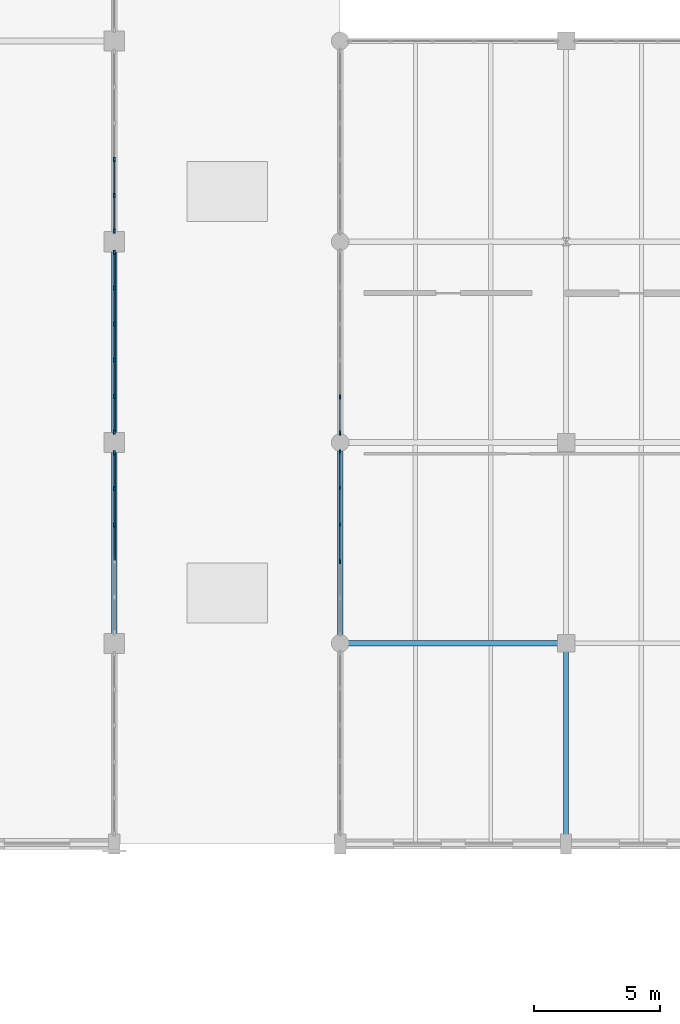
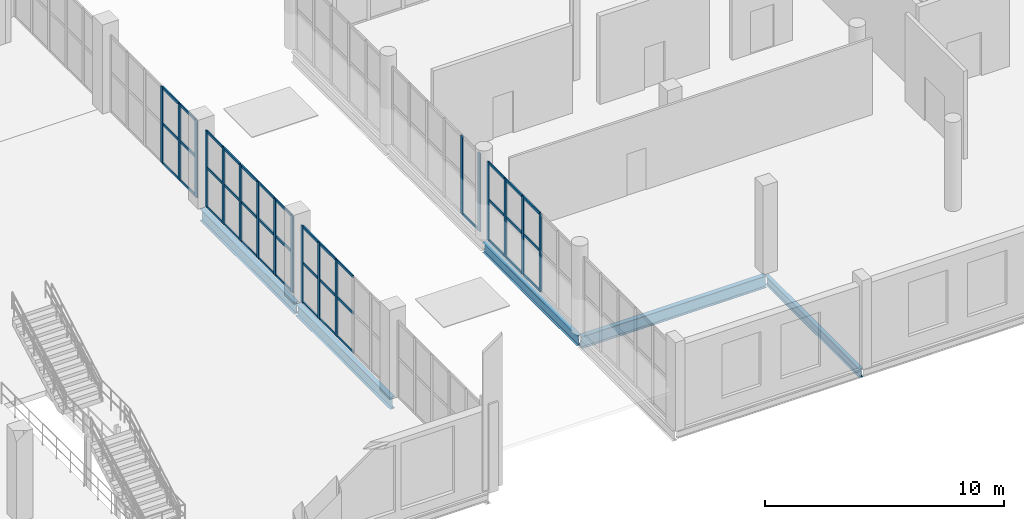
# One storey, part 32 of 93: 58 members, 5 beams, 5 elements without a shape of their own.
"""IFC4 building model written with IfcOpenShell, lengths in metres."""

import ifcopenshell
import ifcopenshell.guid

model = None  # the IFC model being written
_history = None  # IfcOwnerHistory: only IFC2X3 demands one
_inside = {}  # id of a spatial element -> (the spatial element, [elements in it])
_under = {}  # id of a project, library or spatial element -> (it, [spatial elements below it])
_declared = {}  # id of a project -> (the project, [libraries it declares])
_typed = {}  # id of a type object -> (the type object, [elements of that type])
_made_of = {}  # id of a material, layer set ... -> (it, [elements and type objects made of it])


def new_model(schema):
    """Start an empty IFC model of exactly this schema.

    Asked for "IFC4X3", IfcOpenShell would pick the latest addendum, in which some entities
    have other attributes; the version numbers below select the first issue.
    IFC2X3 requires an IfcOwnerHistory on every rooted entity: one is made here for all.
    """
    global model, _history
    if schema == "IFC4X3":
        model = ifcopenshell.file(schema_version=(4, 3, 0, 0))
    else:
        model = ifcopenshell.file(schema=schema)
    _inside.clear()
    _under.clear()
    _declared.clear()
    _typed.clear()
    _made_of.clear()
    _history = None
    if model.schema == "IFC2X3":
        org = make("IfcOrganization", Name="unknown")
        user = make(
            "IfcPersonAndOrganization",
            ThePerson=make("IfcPerson", FamilyName="unknown"),
            TheOrganization=org,
        )
        app = make(
            "IfcApplication",
            ApplicationDeveloper=org,
            Version="unknown",
            ApplicationFullName="unknown",
            ApplicationIdentifier="unknown",
        )
        _history = make(
            "IfcOwnerHistory",
            OwningUser=user,
            OwningApplication=app,
            ChangeAction="ADDED",
            CreationDate=0,
        )
    return model


def make(cls, **values):
    """One entity of the class cls with the attributes given. An attribute that is None is left unset."""
    return model.create_entity(
        cls, **{name: value for name, value in values.items() if value is not None}
    )


def rooted(cls, **values):
    """An entity with a GlobalId (a new one), such as an element, a storey or a relation."""
    return make(cls, GlobalId=ifcopenshell.guid.new(), OwnerHistory=_history, **values)


def si_unit(unit_type, name, prefix=None):
    """IfcSIUnit, for example si_unit("LENGTHUNIT", "METRE", prefix="MILLI")."""
    return make("IfcSIUnit", UnitType=unit_type, Prefix=prefix, Name=name)


def assignment(units):
    """IfcUnitAssignment: the units of a project."""
    return None if units is None else make("IfcUnitAssignment", Units=units)


def point(xyz):
    """IfcCartesianPoint."""
    return None if xyz is None else make("IfcCartesianPoint", Coordinates=xyz)


def direction(xyz):
    """IfcDirection."""
    return None if xyz is None else make("IfcDirection", DirectionRatios=xyz)


def frame(location, z_axis=None, x_axis=None):
    """IfcAxis2Placement3D, a coordinate frame: its origin and axes. An axis left out is left unset."""
    return make(
        "IfcAxis2Placement3D",
        Location=point(location),
        Axis=direction(z_axis),
        RefDirection=direction(x_axis),
    )


def frame_2d(location, x_axis=None):
    """IfcAxis2Placement2D, a coordinate frame in the plane: its origin and x axis."""
    return make(
        "IfcAxis2Placement2D", Location=point(location), RefDirection=direction(x_axis)
    )


def origin():
    """The frame at (0, 0, 0) with its axes left unset."""
    return frame((0.0, 0.0, 0.0))


def origin_2d():
    """The frame at (0, 0) in the plane with its x axis left unset."""
    return frame_2d((0.0, 0.0))


def place(relative_to, where):
    """IfcLocalPlacement: puts the frame where relative to a parent placement (None: the world)."""
    return make(
        "IfcLocalPlacement", PlacementRelTo=relative_to, RelativePlacement=where
    )


def context(
    kind, dimensions, precision=None, world=None, true_north=None, identifier=None
):
    """IfcGeometricRepresentationContext, for example the 3D "Model" context."""
    return make(
        "IfcGeometricRepresentationContext",
        ContextIdentifier=identifier,
        ContextType=kind,
        CoordinateSpaceDimension=dimensions,
        Precision=precision,
        WorldCoordinateSystem=world,
        TrueNorth=true_north,
    )


def subcontext(parent, identifier, kind, view, scale=None):
    """IfcGeometricRepresentationSubContext, for example "Body" below "Model"."""
    return make(
        "IfcGeometricRepresentationSubContext",
        ContextIdentifier=identifier,
        ContextType=kind,
        ParentContext=parent,
        TargetScale=scale,
        TargetView=view,
    )


def project(units=None, contexts=None):
    """IfcProject with its units and contexts."""
    return rooted(
        "IfcProject",
        Name="project",
        RepresentationContexts=contexts,
        UnitsInContext=assignment(units),
    )


def spatial(cls, under=None, at=None, **own):
    """A site, building, storey or space (cls), placed at a placement, below another one or the project."""
    s = rooted(cls, ObjectPlacement=at, **own)
    if under is not None:
        _under.setdefault(under.id(), (under, []))[1].append(s)
    return s


def profile(cls, at=None, kind="AREA", **sizes):
    """A parametric profile (cls). Its sizes go by their IFC names, for example OverallWidth=200.0."""
    return make(cls, ProfileType=kind, Position=at, **sizes)


def rectangle(**sizes):
    """IfcRectangleProfileDef."""
    return profile("IfcRectangleProfileDef", **sizes)


def i_section(**sizes):
    """IfcIShapeProfileDef."""
    return profile("IfcIShapeProfileDef", **sizes)


def extrude(swept, where, along, depth):
    """IfcExtrudedAreaSolid: the profile swept, set in the frame where, extruded along a direction by depth."""
    return make(
        "IfcExtrudedAreaSolid",
        SweptArea=swept,
        Position=where,
        ExtrudedDirection=direction(along),
        Depth=depth,
    )


def shape(context_of_items, identifier, shape_type, items):
    """IfcShapeRepresentation: the items that make up one representation, for example the "Body"."""
    return make(
        "IfcShapeRepresentation",
        ContextOfItems=context_of_items,
        RepresentationIdentifier=identifier,
        RepresentationType=shape_type,
        Items=items,
    )


def material(Name=None, Category=None):
    """IfcMaterial."""
    return make("IfcMaterial", Name=Name, Category=Category)


def layer(
    of_material, thickness, ventilated=None, Name=None, Category=None, Priority=None
):
    """IfcMaterialLayer: one layer of a wall or slab, of a material (None: an air gap)."""
    return make(
        "IfcMaterialLayer",
        Material=of_material,
        LayerThickness=thickness,
        IsVentilated=ventilated,
        Name=Name,
        Category=Category,
        Priority=Priority,
    )


def layer_set(layers, Name=None):
    """IfcMaterialLayerSet."""
    return make("IfcMaterialLayerSet", MaterialLayers=layers, LayerSetName=Name)


def material_profile(
    of_material, cross_section, Name=None, Category=None, Priority=None
):
    """IfcMaterialProfile: a cross section and its material."""
    return make(
        "IfcMaterialProfile",
        Name=Name,
        Material=of_material,
        Profile=cross_section,
        Priority=Priority,
        Category=Category,
    )


def profile_set(profiles, Name=None, composite=None):
    """IfcMaterialProfileSet."""
    return make(
        "IfcMaterialProfileSet",
        Name=Name,
        MaterialProfiles=profiles,
        CompositeProfile=composite,
    )


def made_of(thing, what):
    """Note that an element or type object is made of a material, layer set ...; save() writes the relation."""
    if what is not None:
        _made_of.setdefault(what.id(), (what, []))[1].append(thing)
    return thing


def type_object(cls, material=None, **own):
    """A type object (cls), such as IfcWallType, which elements share."""
    return made_of(rooted(cls, **own), material)


def element(
    cls,
    number,
    at=None,
    inside=None,
    cuts=None,
    type_object=None,
    material=None,
    context=None,
    identifier="Body",
    shape_type=None,
    held_by="IfcProductDefinitionShape",
    body=None,
    shapes=None,
    **own,
):
    """One element of the class cls, such as IfcWall. Its Tag is "e" and its number.

    at: its placement. inside: the storey or other place that contains it. cuts: it is an
    opening in that element (IfcRelVoidsElement). A single representation is given by context,
    identifier, shape_type and body (its items); several are given by shapes. held_by: the class
    of the entity that holds the representations. save() writes the other relations.
    """
    e = rooted(cls, Tag="e%d" % number, ObjectPlacement=at, **own)
    if body is not None:
        shapes = [shape(context, identifier, shape_type, body)]
    if shapes is not None:
        e.Representation = make(held_by, Representations=shapes)
    if inside is not None:
        _inside.setdefault(inside.id(), (inside, []))[1].append(e)
    if cuts is not None:
        rooted(
            "IfcRelVoidsElement", RelatingBuildingElement=cuts, RelatedOpeningElement=e
        )
    if type_object is not None:
        _typed.setdefault(type_object.id(), (type_object, []))[1].append(e)
    return made_of(e, material)


def aggregate(whole, parts):
    """IfcRelAggregates: a whole, such as a stair, and the parts it consists of."""
    return rooted("IfcRelAggregates", RelatingObject=whole, RelatedObjects=parts)


def save(model, path):
    """Write the relations noted so far, then the file.

    IfcRelAggregates (storeys below a building ...), IfcRelContainedInSpatialStructure (elements
    in a storey), IfcRelDefinesByType, IfcRelAssociatesMaterial and IfcRelDeclares: one each for
    every whole, place, type object, material and project.
    """
    for whole, parts in _under.values():
        aggregate(whole, parts)
    for where, things in _inside.values():
        rooted(
            "IfcRelContainedInSpatialStructure",
            RelatedElements=things,
            RelatingStructure=where,
        )
    for kind, things in _typed.values():
        rooted("IfcRelDefinesByType", RelatedObjects=things, RelatingType=kind)
    for what, things in _made_of.values():
        rooted("IfcRelAssociatesMaterial", RelatedObjects=things, RelatingMaterial=what)
    for by, libraries in _declared.values():
        rooted("IfcRelDeclares", RelatingContext=by, RelatedDefinitions=libraries)
    model.write(path)


model = new_model("IFC4")

# Units and contexts
model_context = context("Model", 3, precision=1e-05, world=origin(), true_north=direction((0.0, 1.0)))
body_context = subcontext(model_context, "Body", "Model", "MODEL_VIEW")
ifc_project = project(units=[si_unit("LENGTHUNIT", "METRE"), si_unit("AREAUNIT", "SQUARE_METRE"), si_unit("VOLUMEUNIT", "CUBIC_METRE"), si_unit("PLANEANGLEUNIT", "RADIAN"), si_unit("MASSUNIT", "GRAM", prefix="KILO")], contexts=[model_context])

# Site, building, storey
site_placement = place(None, origin())
site = spatial("IfcSite", under=ifc_project, at=site_placement, CompositionType="ELEMENT")
building_placement = place(site_placement, origin())
building = spatial("IfcBuilding", under=site, at=building_placement, Name="Marnock Terrace Opera House", CompositionType="ELEMENT")
storey_placement = place(building_placement, frame((0.0, 0.0, 5.39990234375)))
storey = spatial("IfcBuildingStorey", under=building, at=storey_placement, Name="L01", CompositionType="ELEMENT", Elevation=5.39990234375)

# Beams
ifc_material_1 = material(Name="Steel Grade 350 (AS/NZS 3679.1)", Category="steel")
ifc_material_profile_1 = material_profile(ifc_material_1, i_section(OverallWidth=0.18994140625, OverallDepth=0.45751953125, WebThickness=0.009033203125, FlangeThickness=0.014404296875, FilletRadius=0.011474609375, at=origin_2d()))
ifc_profile_set_1 = profile_set([ifc_material_profile_1], Name="Steel Grade 350 (AS/NZS 3679.1)")
beam_type_1 = type_object("IfcBeamType", Name="BM-GIRD-460B", PredefinedType="BEAM", material=ifc_profile_set_1)
beam_1_placement = place(storey_placement, frame((127.0, 8.050048828125, -0.508544921875), z_axis=(0.0, 1.0, 0.0), x_axis=(-1.0, 0.0, 0.0)))
element("IfcBeam", 1, at=beam_1_placement, inside=storey, type_object=beam_type_1, Name="L01 girder (X=127.0, 8.0..16.0)", PredefinedType="BEAM", context=body_context, shape_type="SweptSolid", body=[
    extrude(i_section(OverallWidth=0.18994140625, OverallDepth=0.45751953125, WebThickness=0.009033203125, FlangeThickness=0.014404296875, FilletRadius=0.011474609375, at=origin_2d()), origin(), (0.0, 0.0, 1.0), 7.89990234375),
])
ifc_material_profile_2 = material_profile(ifc_material_1, i_section(OverallWidth=0.208984375, OverallDepth=0.528076171875, WebThickness=0.009521484375, FlangeThickness=0.01318359375, FilletRadius=0.013916015625, at=origin_2d()))
ifc_profile_set_2 = profile_set([ifc_material_profile_2], Name="Steel Grade 350 (AS/NZS 3679.1)")
beam_type_2 = type_object("IfcBeamType", Name="BM-GIRD-530B", PredefinedType="BEAM", material=ifc_profile_set_2)
beam_2_placement = place(storey_placement, frame((118.0, 16.050048828125, -0.5439453125), z_axis=(0.0, 1.0, 0.0), x_axis=(-1.0, 0.0, 0.0)))
element("IfcBeam", 2, at=beam_2_placement, inside=storey, type_object=beam_type_2, Name="L01 girder (X=118.0, 16.0..24.0)", PredefinedType="BEAM", context=body_context, shape_type="SweptSolid", body=[
    extrude(i_section(OverallWidth=0.208984375, OverallDepth=0.528076171875, WebThickness=0.009521484375, FlangeThickness=0.01318359375, FilletRadius=0.013916015625, at=origin_2d()), origin(), (0.0, 0.0, 1.0), 7.89990234375),
])
ifc_material_profile_3 = material_profile(ifc_material_1, i_section(OverallWidth=0.22900390625, OverallDepth=0.611572265625, WebThickness=0.011962890625, FlangeThickness=0.01953125, FilletRadius=0.013916015625, at=origin_2d()))
ifc_profile_set_3 = profile_set([ifc_material_profile_3], Name="Steel Grade 350 (AS/NZS 3679.1)")
beam_type_3 = type_object("IfcBeamType", Name="BM-GIRD-610A", PredefinedType="BEAM", material=ifc_profile_set_3)
beam_3_placement = place(storey_placement, frame((118.050048828125, 16.0, -0.585693359375), z_axis=(1.0, 0.0, 0.0), x_axis=(0.0, 1.0, 0.0)))
element("IfcBeam", 3, at=beam_3_placement, inside=storey, type_object=beam_type_3, Name="L01 girder (118.0..127.0, Y=16.0)", PredefinedType="BEAM", context=body_context, shape_type="SweptSolid", body=[
    extrude(i_section(OverallWidth=0.22900390625, OverallDepth=0.611572265625, WebThickness=0.011962890625, FlangeThickness=0.01953125, FilletRadius=0.013916015625, at=origin_2d()), origin(), (0.0, 0.0, 1.0), 8.89990234375),
])
ifc_material_profile_4 = material_profile(ifc_material_1, i_section(OverallWidth=0.22802734375, OverallDepth=0.60205078125, WebThickness=0.010498046875, FlangeThickness=0.014892578125, FilletRadius=0.013916015625, at=origin_2d()))
ifc_profile_set_4 = profile_set([ifc_material_profile_4], Name="Steel Grade 350 (AS/NZS 3679.1)")
beam_type_4 = type_object("IfcBeamType", Name="BM-GIRD-610C", PredefinedType="BEAM", material=ifc_profile_set_4)
for number, where, z_axis, x_axis, name in (
    (4, (109.0, 16.050048828125, -0.580810546875), (0.0, 1.0, 0.0), (-1.0, 0.0, 0.0), "L01 girder (X=109.0, 16.0..24.0)"),
    (5, (109.0, 24.050048828125, -0.580810546875), (0.0, 1.0, 0.0), (-1.0, 0.0, 0.0), "L01 girder (X=109.0, 24.0..32.0)"),
):
    element("IfcBeam", number, at=place(storey_placement, frame(where, z_axis=z_axis, x_axis=x_axis)), inside=storey, type_object=beam_type_4, Name=name, PredefinedType="BEAM", context=body_context, shape_type="SweptSolid", body=[
        extrude(i_section(OverallWidth=0.22802734375, OverallDepth=0.60205078125, WebThickness=0.010498046875, FlangeThickness=0.014892578125, FilletRadius=0.013916015625, at=origin_2d()), origin(), (0.0, 0.0, 1.0), 7.89990234375),
    ])

# Curtain wall, members
ifc_material_2 = material(Name="Anodised architectural bronze aluminium framing", Category="aluminium")
ifc_layer_1 = layer(ifc_material_2, 0.159912109375)
ifc_layer_set_1 = layer_set([ifc_layer_1], Name="Anodised architectural bronze aluminium framing")
curtain_wall_type_1 = type_object("IfcCurtainWallType", Name="CW-FOYER-80x45", PredefinedType="NOTDEFINED", material=ifc_layer_set_1)
curtain_wall_1_placement = place(storey_placement, origin())
curtain_wall_1 = element("IfcCurtainWall", 6, at=curtain_wall_1_placement, inside=storey, type_object=curtain_wall_type_1, Name="L01 glazed Beaux-Arts colonnade curtain wall CW-V1E-L01-02", PredefinedType="NOTDEFINED")
ifc_material_profile_5 = material_profile(ifc_material_2, rectangle(XDim=0.06494140625, YDim=0.179931640625, at=origin_2d()))
ifc_profile_set_5 = profile_set([ifc_material_profile_5], Name="Anodised architectural bronze aluminium framing")
member_type_1 = type_object("IfcMemberType", Name="CWM-65x180", PredefinedType="MULLION", material=ifc_profile_set_5)
member_1_placement = place(storey_placement, frame((109.0, 20.720703125, 0.0), z_axis=(0.0, 0.0, 1.0), x_axis=(-1.0, 0.0, 0.0)))
member_1 = element("IfcMember", 7, at=member_1_placement, type_object=member_type_1, Name="CW-87 mullion 4", PredefinedType="MULLION", context=body_context, shape_type="SweptSolid", body=[
    extrude(rectangle(XDim=0.06494140625, YDim=0.179931640625, at=origin_2d()), origin(), (0.0, 0.0, 1.0), 3.908203125),
])
member_2_placement = place(storey_placement, frame((109.0, 22.162353515625, 0.0), z_axis=(0.0, 0.0, 1.0), x_axis=(-1.0, 0.0, 0.0)))
member_2 = element("IfcMember", 8, at=member_2_placement, type_object=member_type_1, Name="CW-87 mullion 5", PredefinedType="MULLION", context=body_context, shape_type="SweptSolid", body=[
    extrude(rectangle(XDim=0.06494140625, YDim=0.179931640625, at=origin_2d()), origin(), (0.0, 0.0, 1.0), 3.908203125),
])
member_3_placement = place(storey_placement, frame((109.0, 23.573974609375, 0.0), z_axis=(0.0, 0.0, 1.0), x_axis=(-1.0, 0.0, 0.0)))
member_3 = element("IfcMember", 9, at=member_3_placement, type_object=member_type_1, Name="CW-87 mullion 6", PredefinedType="MULLION", context=body_context, shape_type="SweptSolid", body=[
    extrude(rectangle(XDim=0.06494140625, YDim=0.179931640625, at=origin_2d()), origin(), (0.0, 0.0, 1.0), 3.908203125),
])

curtain_wall_2_placement = place(storey_placement, origin())
curtain_wall_2 = element("IfcCurtainWall", 10, at=curtain_wall_2_placement, inside=storey, type_object=curtain_wall_type_1, Name="L01 glazed Beaux-Arts colonnade curtain wall CW-V1E-L01-03", PredefinedType="NOTDEFINED")
member_4_placement = place(storey_placement, frame((109.0, 24.426025390625, 0.0), z_axis=(0.0, 0.0, 1.0), x_axis=(-1.0, 0.0, 0.0)))
member_4 = element("IfcMember", 11, at=member_4_placement, type_object=member_type_1, Name="CW-87 mullion 1", PredefinedType="MULLION", context=body_context, shape_type="SweptSolid", body=[
    extrude(rectangle(XDim=0.06494140625, YDim=0.179931640625, at=origin_2d()), origin(), (0.0, 0.0, 1.0), 3.908203125),
])
member_5_placement = place(storey_placement, frame((109.0, 25.837646484375, 0.0), z_axis=(0.0, 0.0, 1.0), x_axis=(-1.0, 0.0, 0.0)))
member_5 = element("IfcMember", 12, at=member_5_placement, type_object=member_type_1, Name="CW-87 mullion 2", PredefinedType="MULLION", context=body_context, shape_type="SweptSolid", body=[
    extrude(rectangle(XDim=0.06494140625, YDim=0.179931640625, at=origin_2d()), origin(), (0.0, 0.0, 1.0), 3.908203125),
])
member_6_placement = place(storey_placement, frame((109.0, 27.279296875, 0.0), z_axis=(0.0, 0.0, 1.0), x_axis=(-1.0, 0.0, 0.0)))
member_6 = element("IfcMember", 13, at=member_6_placement, type_object=member_type_1, Name="CW-87 mullion 3", PredefinedType="MULLION", context=body_context, shape_type="SweptSolid", body=[
    extrude(rectangle(XDim=0.06494140625, YDim=0.179931640625, at=origin_2d()), origin(), (0.0, 0.0, 1.0), 3.908203125),
])
member_7_placement = place(storey_placement, frame((109.0, 28.720703125, 0.0), z_axis=(0.0, 0.0, 1.0), x_axis=(-1.0, 0.0, 0.0)))
member_7 = element("IfcMember", 14, at=member_7_placement, type_object=member_type_1, Name="CW-87 mullion 4", PredefinedType="MULLION", context=body_context, shape_type="SweptSolid", body=[
    extrude(rectangle(XDim=0.06494140625, YDim=0.179931640625, at=origin_2d()), origin(), (0.0, 0.0, 1.0), 3.908203125),
])
member_8_placement = place(storey_placement, frame((109.0, 30.162353515625, 0.0), z_axis=(0.0, 0.0, 1.0), x_axis=(-1.0, 0.0, 0.0)))
member_8 = element("IfcMember", 15, at=member_8_placement, type_object=member_type_1, Name="CW-87 mullion 5", PredefinedType="MULLION", context=body_context, shape_type="SweptSolid", body=[
    extrude(rectangle(XDim=0.06494140625, YDim=0.179931640625, at=origin_2d()), origin(), (0.0, 0.0, 1.0), 3.908203125),
])
member_9_placement = place(storey_placement, frame((109.0, 31.573974609375, 0.0), z_axis=(0.0, 0.0, 1.0), x_axis=(-1.0, 0.0, 0.0)))
member_9 = element("IfcMember", 16, at=member_9_placement, type_object=member_type_1, Name="CW-87 mullion 6", PredefinedType="MULLION", context=body_context, shape_type="SweptSolid", body=[
    extrude(rectangle(XDim=0.06494140625, YDim=0.179931640625, at=origin_2d()), origin(), (0.0, 0.0, 1.0), 3.908203125),
])

curtain_wall_3_placement = place(storey_placement, origin())
curtain_wall_3 = element("IfcCurtainWall", 17, at=curtain_wall_3_placement, inside=storey, type_object=curtain_wall_type_1, Name="L01 glazed Beaux-Arts colonnade curtain wall CW-V1E-L01-04", PredefinedType="NOTDEFINED")
member_10_placement = place(storey_placement, frame((109.0, 32.426025390625, 0.0), z_axis=(0.0, 0.0, 1.0), x_axis=(-1.0, 0.0, 0.0)))
member_10 = element("IfcMember", 18, at=member_10_placement, type_object=member_type_1, Name="CW-87 mullion 1", PredefinedType="MULLION", context=body_context, shape_type="SweptSolid", body=[
    extrude(rectangle(XDim=0.06494140625, YDim=0.179931640625, at=origin_2d()), origin(), (0.0, 0.0, 1.0), 3.908203125),
])
member_11_placement = place(storey_placement, frame((109.0, 33.837646484375, 0.0), z_axis=(0.0, 0.0, 1.0), x_axis=(-1.0, 0.0, 0.0)))
member_11 = element("IfcMember", 19, at=member_11_placement, type_object=member_type_1, Name="CW-87 mullion 2", PredefinedType="MULLION", context=body_context, shape_type="SweptSolid", body=[
    extrude(rectangle(XDim=0.06494140625, YDim=0.179931640625, at=origin_2d()), origin(), (0.0, 0.0, 1.0), 3.908203125),
])
member_12_placement = place(storey_placement, frame((109.0, 35.279296875, 0.0), z_axis=(0.0, 0.0, 1.0), x_axis=(-1.0, 0.0, 0.0)))
member_12 = element("IfcMember", 20, at=member_12_placement, type_object=member_type_1, Name="CW-87 mullion 3", PredefinedType="MULLION", context=body_context, shape_type="SweptSolid", body=[
    extrude(rectangle(XDim=0.06494140625, YDim=0.179931640625, at=origin_2d()), origin(), (0.0, 0.0, 1.0), 3.908203125),
])

ifc_layer_2 = layer(ifc_material_2, 0.159912109375)
ifc_layer_set_2 = layer_set([ifc_layer_2], Name="Anodised architectural bronze aluminium framing")
curtain_wall_type_2 = type_object("IfcCurtainWallType", Name="CW-LOGGIA-86x45", PredefinedType="NOTDEFINED", material=ifc_layer_set_2)
curtain_wall_4_placement = place(storey_placement, origin())
curtain_wall_4 = element("IfcCurtainWall", 21, at=curtain_wall_4_placement, inside=storey, type_object=curtain_wall_type_2, Name="L01 glazed Beaux-Arts colonnade curtain wall CW-V5-L01-W2", PredefinedType="NOTDEFINED")
member_13_placement = place(storey_placement, frame((118.0, 19.269287109375, 0.0), z_axis=(0.0, 0.0, 1.0), x_axis=(-1.0, 0.0, 0.0)))
member_13 = element("IfcMember", 22, at=member_13_placement, type_object=member_type_1, Name="CW-61 mullion 3", PredefinedType="MULLION", context=body_context, shape_type="SweptSolid", body=[
    extrude(rectangle(XDim=0.06494140625, YDim=0.179931640625, at=origin_2d()), origin(), (0.0, 0.0, 1.0), 3.982177734375),
])
member_14_placement = place(storey_placement, frame((118.0, 20.730712890625, 0.0), z_axis=(0.0, 0.0, 1.0), x_axis=(-1.0, 0.0, 0.0)))
member_14 = element("IfcMember", 23, at=member_14_placement, type_object=member_type_1, Name="CW-61 mullion 4", PredefinedType="MULLION", context=body_context, shape_type="SweptSolid", body=[
    extrude(rectangle(XDim=0.06494140625, YDim=0.179931640625, at=origin_2d()), origin(), (0.0, 0.0, 1.0), 3.982177734375),
])
member_15_placement = place(storey_placement, frame((118.0, 22.1923828125, 0.0), z_axis=(0.0, 0.0, 1.0), x_axis=(-1.0, 0.0, 0.0)))
member_15 = element("IfcMember", 24, at=member_15_placement, type_object=member_type_1, Name="CW-61 mullion 5", PredefinedType="MULLION", context=body_context, shape_type="SweptSolid", body=[
    extrude(rectangle(XDim=0.06494140625, YDim=0.179931640625, at=origin_2d()), origin(), (0.0, 0.0, 1.0), 3.982177734375),
])
member_16_placement = place(storey_placement, frame((118.0, 23.6240234375, 0.0), z_axis=(0.0, 0.0, 1.0), x_axis=(-1.0, 0.0, 0.0)))
member_16 = element("IfcMember", 25, at=member_16_placement, type_object=member_type_1, Name="CW-61 mullion 6", PredefinedType="MULLION", context=body_context, shape_type="SweptSolid", body=[
    extrude(rectangle(XDim=0.06494140625, YDim=0.179931640625, at=origin_2d()), origin(), (0.0, 0.0, 1.0), 3.982177734375),
])

curtain_wall_5_placement = place(storey_placement, origin())
curtain_wall_5 = element("IfcCurtainWall", 26, at=curtain_wall_5_placement, inside=storey, type_object=curtain_wall_type_2, Name="L01 glazed Beaux-Arts colonnade curtain wall CW-V5-L01-W3", PredefinedType="NOTDEFINED")
member_17_placement = place(storey_placement, frame((118.0, 24.3759765625, 0.0), z_axis=(0.0, 0.0, 1.0), x_axis=(-1.0, 0.0, 0.0)))
member_17 = element("IfcMember", 27, at=member_17_placement, type_object=member_type_1, Name="CW-61 mullion 1", PredefinedType="MULLION", context=body_context, shape_type="SweptSolid", body=[
    extrude(rectangle(XDim=0.06494140625, YDim=0.179931640625, at=origin_2d()), origin(), (0.0, 0.0, 1.0), 3.982177734375),
])
member_18_placement = place(storey_placement, frame((118.0, 25.8076171875, 0.0), z_axis=(0.0, 0.0, 1.0), x_axis=(-1.0, 0.0, 0.0)))
member_18 = element("IfcMember", 28, at=member_18_placement, type_object=member_type_1, Name="CW-61 mullion 2", PredefinedType="MULLION", context=body_context, shape_type="SweptSolid", body=[
    extrude(rectangle(XDim=0.06494140625, YDim=0.179931640625, at=origin_2d()), origin(), (0.0, 0.0, 1.0), 3.982177734375),
])

# Member
ifc_material_profile_6 = material_profile(ifc_material_2, rectangle(XDim=0.06005859375, YDim=0.1298828125, at=origin_2d()))
ifc_profile_set_6 = profile_set([ifc_material_profile_6], Name="Anodised architectural bronze aluminium framing")
member_type_2 = type_object("IfcMemberType", Name="CWT-60x130", PredefinedType="USERDEFINED", material=ifc_profile_set_6)
member_19_placement = place(storey_placement, frame((109.0, 19.30908203125, 0.030029296875), z_axis=(0.0, 1.0, 0.0), x_axis=(-1.0, 0.0, 0.0)))
member_19 = element("IfcMember", 29, at=member_19_placement, type_object=member_type_2, Name="CW-87 transom 3.1", ObjectType="TRANSOM", PredefinedType="USERDEFINED", context=body_context, shape_type="SweptSolid", body=[
    extrude(rectangle(XDim=0.06005859375, YDim=0.1298828125, at=origin_2d()), origin(), (0.0, 0.0, 1.0), 1.3818359375),
])

member_20_placement = place(storey_placement, frame((109.0, 19.30908203125, 2.0322265625), z_axis=(0.0, 1.0, 0.0), x_axis=(-1.0, 0.0, 0.0)))
member_20 = element("IfcMember", 30, at=member_20_placement, type_object=member_type_2, Name="CW-87 transom 3.2", ObjectType="TRANSOM", PredefinedType="USERDEFINED", context=body_context, shape_type="SweptSolid", body=[
    extrude(rectangle(XDim=0.06005859375, YDim=0.1298828125, at=origin_2d()), origin(), (0.0, 0.0, 1.0), 1.3818359375),
])

member_21_placement = place(storey_placement, frame((109.0, 19.30908203125, 3.878173828125), z_axis=(0.0, 1.0, 0.0), x_axis=(-1.0, 0.0, 0.0)))
member_21 = element("IfcMember", 31, at=member_21_placement, type_object=member_type_2, Name="CW-87 transom 3.3", ObjectType="TRANSOM", PredefinedType="USERDEFINED", context=body_context, shape_type="SweptSolid", body=[
    extrude(rectangle(XDim=0.06005859375, YDim=0.1298828125, at=origin_2d()), origin(), (0.0, 0.0, 1.0), 1.3818359375),
])

member_22_placement = place(storey_placement, frame((109.0, 20.750732421875, 0.030029296875), z_axis=(0.0, 1.0, 0.0), x_axis=(-1.0, 0.0, 0.0)))
member_22 = element("IfcMember", 32, at=member_22_placement, type_object=member_type_2, Name="CW-87 transom 4.1", ObjectType="TRANSOM", PredefinedType="USERDEFINED", context=body_context, shape_type="SweptSolid", body=[
    extrude(rectangle(XDim=0.06005859375, YDim=0.1298828125, at=origin_2d()), origin(), (0.0, 0.0, 1.0), 1.381591796875),
])

member_23_placement = place(storey_placement, frame((109.0, 20.750732421875, 2.0322265625), z_axis=(0.0, 1.0, 0.0), x_axis=(-1.0, 0.0, 0.0)))
member_23 = element("IfcMember", 33, at=member_23_placement, type_object=member_type_2, Name="CW-87 transom 4.2", ObjectType="TRANSOM", PredefinedType="USERDEFINED", context=body_context, shape_type="SweptSolid", body=[
    extrude(rectangle(XDim=0.06005859375, YDim=0.1298828125, at=origin_2d()), origin(), (0.0, 0.0, 1.0), 1.381591796875),
])

member_24_placement = place(storey_placement, frame((109.0, 20.750732421875, 3.878173828125), z_axis=(0.0, 1.0, 0.0), x_axis=(-1.0, 0.0, 0.0)))
member_24 = element("IfcMember", 34, at=member_24_placement, type_object=member_type_2, Name="CW-87 transom 4.3", ObjectType="TRANSOM", PredefinedType="USERDEFINED", context=body_context, shape_type="SweptSolid", body=[
    extrude(rectangle(XDim=0.06005859375, YDim=0.1298828125, at=origin_2d()), origin(), (0.0, 0.0, 1.0), 1.381591796875),
])

member_25_placement = place(storey_placement, frame((109.0, 22.1923828125, 0.030029296875), z_axis=(0.0, 1.0, 0.0), x_axis=(-1.0, 0.0, 0.0)))
member_25 = element("IfcMember", 35, at=member_25_placement, type_object=member_type_2, Name="CW-87 transom 5.1", ObjectType="TRANSOM", PredefinedType="USERDEFINED", context=body_context, shape_type="SweptSolid", body=[
    extrude(rectangle(XDim=0.06005859375, YDim=0.1298828125, at=origin_2d()), origin(), (0.0, 0.0, 1.0), 1.3515625),
])

member_26_placement = place(storey_placement, frame((109.0, 22.1923828125, 2.0322265625), z_axis=(0.0, 1.0, 0.0), x_axis=(-1.0, 0.0, 0.0)))
member_26 = element("IfcMember", 36, at=member_26_placement, type_object=member_type_2, Name="CW-87 transom 5.2", ObjectType="TRANSOM", PredefinedType="USERDEFINED", context=body_context, shape_type="SweptSolid", body=[
    extrude(rectangle(XDim=0.06005859375, YDim=0.1298828125, at=origin_2d()), origin(), (0.0, 0.0, 1.0), 1.3515625),
])

member_27_placement = place(storey_placement, frame((109.0, 22.1923828125, 3.878173828125), z_axis=(0.0, 1.0, 0.0), x_axis=(-1.0, 0.0, 0.0)))
member_27 = element("IfcMember", 37, at=member_27_placement, type_object=member_type_2, Name="CW-87 transom 5.3", ObjectType="TRANSOM", PredefinedType="USERDEFINED", context=body_context, shape_type="SweptSolid", body=[
    extrude(rectangle(XDim=0.06005859375, YDim=0.1298828125, at=origin_2d()), origin(), (0.0, 0.0, 1.0), 1.3515625),
])

aggregate(curtain_wall_1, [member_1, member_2, member_3, member_19, member_20, member_21, member_22, member_23, member_24, member_25, member_26, member_27])

member_28_placement = place(storey_placement, frame((109.0, 24.4560546875, 0.030029296875), z_axis=(0.0, 1.0, 0.0), x_axis=(-1.0, 0.0, 0.0)))
member_28 = element("IfcMember", 38, at=member_28_placement, type_object=member_type_2, Name="CW-87 transom 1.1", ObjectType="TRANSOM", PredefinedType="USERDEFINED", context=body_context, shape_type="SweptSolid", body=[
    extrude(rectangle(XDim=0.06005859375, YDim=0.1298828125, at=origin_2d()), origin(), (0.0, 0.0, 1.0), 1.3515625),
])

member_29_placement = place(storey_placement, frame((109.0, 24.4560546875, 2.0322265625), z_axis=(0.0, 1.0, 0.0), x_axis=(-1.0, 0.0, 0.0)))
member_29 = element("IfcMember", 39, at=member_29_placement, type_object=member_type_2, Name="CW-87 transom 1.2", ObjectType="TRANSOM", PredefinedType="USERDEFINED", context=body_context, shape_type="SweptSolid", body=[
    extrude(rectangle(XDim=0.06005859375, YDim=0.1298828125, at=origin_2d()), origin(), (0.0, 0.0, 1.0), 1.3515625),
])

member_30_placement = place(storey_placement, frame((109.0, 24.4560546875, 3.878173828125), z_axis=(0.0, 1.0, 0.0), x_axis=(-1.0, 0.0, 0.0)))
member_30 = element("IfcMember", 40, at=member_30_placement, type_object=member_type_2, Name="CW-87 transom 1.3", ObjectType="TRANSOM", PredefinedType="USERDEFINED", context=body_context, shape_type="SweptSolid", body=[
    extrude(rectangle(XDim=0.06005859375, YDim=0.1298828125, at=origin_2d()), origin(), (0.0, 0.0, 1.0), 1.3515625),
])

member_31_placement = place(storey_placement, frame((109.0, 25.86767578125, 0.030029296875), z_axis=(0.0, 1.0, 0.0), x_axis=(-1.0, 0.0, 0.0)))
member_31 = element("IfcMember", 41, at=member_31_placement, type_object=member_type_2, Name="CW-87 transom 2.1", ObjectType="TRANSOM", PredefinedType="USERDEFINED", context=body_context, shape_type="SweptSolid", body=[
    extrude(rectangle(XDim=0.06005859375, YDim=0.1298828125, at=origin_2d()), origin(), (0.0, 0.0, 1.0), 1.381591796875),
])

member_32_placement = place(storey_placement, frame((109.0, 25.86767578125, 2.0322265625), z_axis=(0.0, 1.0, 0.0), x_axis=(-1.0, 0.0, 0.0)))
member_32 = element("IfcMember", 42, at=member_32_placement, type_object=member_type_2, Name="CW-87 transom 2.2", ObjectType="TRANSOM", PredefinedType="USERDEFINED", context=body_context, shape_type="SweptSolid", body=[
    extrude(rectangle(XDim=0.06005859375, YDim=0.1298828125, at=origin_2d()), origin(), (0.0, 0.0, 1.0), 1.381591796875),
])

member_33_placement = place(storey_placement, frame((109.0, 25.86767578125, 3.878173828125), z_axis=(0.0, 1.0, 0.0), x_axis=(-1.0, 0.0, 0.0)))
member_33 = element("IfcMember", 43, at=member_33_placement, type_object=member_type_2, Name="CW-87 transom 2.3", ObjectType="TRANSOM", PredefinedType="USERDEFINED", context=body_context, shape_type="SweptSolid", body=[
    extrude(rectangle(XDim=0.06005859375, YDim=0.1298828125, at=origin_2d()), origin(), (0.0, 0.0, 1.0), 1.381591796875),
])

member_34_placement = place(storey_placement, frame((109.0, 27.30908203125, 0.030029296875), z_axis=(0.0, 1.0, 0.0), x_axis=(-1.0, 0.0, 0.0)))
member_34 = element("IfcMember", 44, at=member_34_placement, type_object=member_type_2, Name="CW-87 transom 3.1", ObjectType="TRANSOM", PredefinedType="USERDEFINED", context=body_context, shape_type="SweptSolid", body=[
    extrude(rectangle(XDim=0.06005859375, YDim=0.1298828125, at=origin_2d()), origin(), (0.0, 0.0, 1.0), 1.3818359375),
])

member_35_placement = place(storey_placement, frame((109.0, 27.30908203125, 2.0322265625), z_axis=(0.0, 1.0, 0.0), x_axis=(-1.0, 0.0, 0.0)))
member_35 = element("IfcMember", 45, at=member_35_placement, type_object=member_type_2, Name="CW-87 transom 3.2", ObjectType="TRANSOM", PredefinedType="USERDEFINED", context=body_context, shape_type="SweptSolid", body=[
    extrude(rectangle(XDim=0.06005859375, YDim=0.1298828125, at=origin_2d()), origin(), (0.0, 0.0, 1.0), 1.3818359375),
])

member_36_placement = place(storey_placement, frame((109.0, 27.30908203125, 3.878173828125), z_axis=(0.0, 1.0, 0.0), x_axis=(-1.0, 0.0, 0.0)))
member_36 = element("IfcMember", 46, at=member_36_placement, type_object=member_type_2, Name="CW-87 transom 3.3", ObjectType="TRANSOM", PredefinedType="USERDEFINED", context=body_context, shape_type="SweptSolid", body=[
    extrude(rectangle(XDim=0.06005859375, YDim=0.1298828125, at=origin_2d()), origin(), (0.0, 0.0, 1.0), 1.3818359375),
])

member_37_placement = place(storey_placement, frame((109.0, 28.750732421875, 0.030029296875), z_axis=(0.0, 1.0, 0.0), x_axis=(-1.0, 0.0, 0.0)))
member_37 = element("IfcMember", 47, at=member_37_placement, type_object=member_type_2, Name="CW-87 transom 4.1", ObjectType="TRANSOM", PredefinedType="USERDEFINED", context=body_context, shape_type="SweptSolid", body=[
    extrude(rectangle(XDim=0.06005859375, YDim=0.1298828125, at=origin_2d()), origin(), (0.0, 0.0, 1.0), 1.381591796875),
])

member_38_placement = place(storey_placement, frame((109.0, 28.750732421875, 2.0322265625), z_axis=(0.0, 1.0, 0.0), x_axis=(-1.0, 0.0, 0.0)))
member_38 = element("IfcMember", 48, at=member_38_placement, type_object=member_type_2, Name="CW-87 transom 4.2", ObjectType="TRANSOM", PredefinedType="USERDEFINED", context=body_context, shape_type="SweptSolid", body=[
    extrude(rectangle(XDim=0.06005859375, YDim=0.1298828125, at=origin_2d()), origin(), (0.0, 0.0, 1.0), 1.381591796875),
])

member_39_placement = place(storey_placement, frame((109.0, 28.750732421875, 3.878173828125), z_axis=(0.0, 1.0, 0.0), x_axis=(-1.0, 0.0, 0.0)))
member_39 = element("IfcMember", 49, at=member_39_placement, type_object=member_type_2, Name="CW-87 transom 4.3", ObjectType="TRANSOM", PredefinedType="USERDEFINED", context=body_context, shape_type="SweptSolid", body=[
    extrude(rectangle(XDim=0.06005859375, YDim=0.1298828125, at=origin_2d()), origin(), (0.0, 0.0, 1.0), 1.381591796875),
])

member_40_placement = place(storey_placement, frame((109.0, 30.1923828125, 0.030029296875), z_axis=(0.0, 1.0, 0.0), x_axis=(-1.0, 0.0, 0.0)))
member_40 = element("IfcMember", 50, at=member_40_placement, type_object=member_type_2, Name="CW-87 transom 5.1", ObjectType="TRANSOM", PredefinedType="USERDEFINED", context=body_context, shape_type="SweptSolid", body=[
    extrude(rectangle(XDim=0.06005859375, YDim=0.1298828125, at=origin_2d()), origin(), (0.0, 0.0, 1.0), 1.3515625),
])

member_41_placement = place(storey_placement, frame((109.0, 30.1923828125, 2.0322265625), z_axis=(0.0, 1.0, 0.0), x_axis=(-1.0, 0.0, 0.0)))
member_41 = element("IfcMember", 51, at=member_41_placement, type_object=member_type_2, Name="CW-87 transom 5.2", ObjectType="TRANSOM", PredefinedType="USERDEFINED", context=body_context, shape_type="SweptSolid", body=[
    extrude(rectangle(XDim=0.06005859375, YDim=0.1298828125, at=origin_2d()), origin(), (0.0, 0.0, 1.0), 1.3515625),
])

member_42_placement = place(storey_placement, frame((109.0, 30.1923828125, 3.878173828125), z_axis=(0.0, 1.0, 0.0), x_axis=(-1.0, 0.0, 0.0)))
member_42 = element("IfcMember", 52, at=member_42_placement, type_object=member_type_2, Name="CW-87 transom 5.3", ObjectType="TRANSOM", PredefinedType="USERDEFINED", context=body_context, shape_type="SweptSolid", body=[
    extrude(rectangle(XDim=0.06005859375, YDim=0.1298828125, at=origin_2d()), origin(), (0.0, 0.0, 1.0), 1.3515625),
])

aggregate(curtain_wall_2, [member_4, member_5, member_6, member_7, member_8, member_9, member_28, member_29, member_30, member_31, member_32, member_33, member_34, member_35, member_36, member_37, member_38, member_39, member_40, member_41, member_42])

member_43_placement = place(storey_placement, frame((109.0, 32.4560546875, 0.030029296875), z_axis=(0.0, 1.0, 0.0), x_axis=(-1.0, 0.0, 0.0)))
member_43 = element("IfcMember", 53, at=member_43_placement, type_object=member_type_2, Name="CW-87 transom 1.1", ObjectType="TRANSOM", PredefinedType="USERDEFINED", context=body_context, shape_type="SweptSolid", body=[
    extrude(rectangle(XDim=0.06005859375, YDim=0.1298828125, at=origin_2d()), origin(), (0.0, 0.0, 1.0), 1.3515625),
])

member_44_placement = place(storey_placement, frame((109.0, 32.4560546875, 2.0322265625), z_axis=(0.0, 1.0, 0.0), x_axis=(-1.0, 0.0, 0.0)))
member_44 = element("IfcMember", 54, at=member_44_placement, type_object=member_type_2, Name="CW-87 transom 1.2", ObjectType="TRANSOM", PredefinedType="USERDEFINED", context=body_context, shape_type="SweptSolid", body=[
    extrude(rectangle(XDim=0.06005859375, YDim=0.1298828125, at=origin_2d()), origin(), (0.0, 0.0, 1.0), 1.3515625),
])

member_45_placement = place(storey_placement, frame((109.0, 32.4560546875, 3.878173828125), z_axis=(0.0, 1.0, 0.0), x_axis=(-1.0, 0.0, 0.0)))
member_45 = element("IfcMember", 55, at=member_45_placement, type_object=member_type_2, Name="CW-87 transom 1.3", ObjectType="TRANSOM", PredefinedType="USERDEFINED", context=body_context, shape_type="SweptSolid", body=[
    extrude(rectangle(XDim=0.06005859375, YDim=0.1298828125, at=origin_2d()), origin(), (0.0, 0.0, 1.0), 1.3515625),
])

member_46_placement = place(storey_placement, frame((109.0, 33.86767578125, 0.030029296875), z_axis=(0.0, 1.0, 0.0), x_axis=(-1.0, 0.0, 0.0)))
member_46 = element("IfcMember", 56, at=member_46_placement, type_object=member_type_2, Name="CW-87 transom 2.1", ObjectType="TRANSOM", PredefinedType="USERDEFINED", context=body_context, shape_type="SweptSolid", body=[
    extrude(rectangle(XDim=0.06005859375, YDim=0.1298828125, at=origin_2d()), origin(), (0.0, 0.0, 1.0), 1.381591796875),
])

member_47_placement = place(storey_placement, frame((109.0, 33.86767578125, 2.0322265625), z_axis=(0.0, 1.0, 0.0), x_axis=(-1.0, 0.0, 0.0)))
member_47 = element("IfcMember", 57, at=member_47_placement, type_object=member_type_2, Name="CW-87 transom 2.2", ObjectType="TRANSOM", PredefinedType="USERDEFINED", context=body_context, shape_type="SweptSolid", body=[
    extrude(rectangle(XDim=0.06005859375, YDim=0.1298828125, at=origin_2d()), origin(), (0.0, 0.0, 1.0), 1.381591796875),
])

member_48_placement = place(storey_placement, frame((109.0, 33.86767578125, 3.878173828125), z_axis=(0.0, 1.0, 0.0), x_axis=(-1.0, 0.0, 0.0)))
member_48 = element("IfcMember", 58, at=member_48_placement, type_object=member_type_2, Name="CW-87 transom 2.3", ObjectType="TRANSOM", PredefinedType="USERDEFINED", context=body_context, shape_type="SweptSolid", body=[
    extrude(rectangle(XDim=0.06005859375, YDim=0.1298828125, at=origin_2d()), origin(), (0.0, 0.0, 1.0), 1.381591796875),
])

aggregate(curtain_wall_3, [member_10, member_11, member_12, member_43, member_44, member_45, member_46, member_47, member_48])

member_49_placement = place(storey_placement, frame((118.0, 19.29931640625, 0.030029296875), z_axis=(0.0, 1.0, 0.0), x_axis=(-1.0, 0.0, 0.0)))
member_49 = element("IfcMember", 59, at=member_49_placement, type_object=member_type_2, Name="CW-61 transom 3.1", ObjectType="TRANSOM", PredefinedType="USERDEFINED", context=body_context, shape_type="SweptSolid", body=[
    extrude(rectangle(XDim=0.06005859375, YDim=0.1298828125, at=origin_2d()), origin(), (0.0, 0.0, 1.0), 1.4013671875),
])

member_50_placement = place(storey_placement, frame((118.0, 19.29931640625, 2.07080078125), z_axis=(0.0, 1.0, 0.0), x_axis=(-1.0, 0.0, 0.0)))
member_50 = element("IfcMember", 60, at=member_50_placement, type_object=member_type_2, Name="CW-61 transom 3.2", ObjectType="TRANSOM", PredefinedType="USERDEFINED", context=body_context, shape_type="SweptSolid", body=[
    extrude(rectangle(XDim=0.06005859375, YDim=0.1298828125, at=origin_2d()), origin(), (0.0, 0.0, 1.0), 1.4013671875),
])

member_51_placement = place(storey_placement, frame((118.0, 19.29931640625, 3.9521484375), z_axis=(0.0, 1.0, 0.0), x_axis=(-1.0, 0.0, 0.0)))
member_51 = element("IfcMember", 61, at=member_51_placement, type_object=member_type_2, Name="CW-61 transom 3.3", ObjectType="TRANSOM", PredefinedType="USERDEFINED", context=body_context, shape_type="SweptSolid", body=[
    extrude(rectangle(XDim=0.06005859375, YDim=0.1298828125, at=origin_2d()), origin(), (0.0, 0.0, 1.0), 1.4013671875),
])

member_52_placement = place(storey_placement, frame((118.0, 20.7607421875, 0.030029296875), z_axis=(0.0, 1.0, 0.0), x_axis=(-1.0, 0.0, 0.0)))
member_52 = element("IfcMember", 62, at=member_52_placement, type_object=member_type_2, Name="CW-61 transom 4.1", ObjectType="TRANSOM", PredefinedType="USERDEFINED", context=body_context, shape_type="SweptSolid", body=[
    extrude(rectangle(XDim=0.06005859375, YDim=0.1298828125, at=origin_2d()), origin(), (0.0, 0.0, 1.0), 1.401611328125),
])

member_53_placement = place(storey_placement, frame((118.0, 20.7607421875, 2.07080078125), z_axis=(0.0, 1.0, 0.0), x_axis=(-1.0, 0.0, 0.0)))
member_53 = element("IfcMember", 63, at=member_53_placement, type_object=member_type_2, Name="CW-61 transom 4.2", ObjectType="TRANSOM", PredefinedType="USERDEFINED", context=body_context, shape_type="SweptSolid", body=[
    extrude(rectangle(XDim=0.06005859375, YDim=0.1298828125, at=origin_2d()), origin(), (0.0, 0.0, 1.0), 1.401611328125),
])

member_54_placement = place(storey_placement, frame((118.0, 20.7607421875, 3.9521484375), z_axis=(0.0, 1.0, 0.0), x_axis=(-1.0, 0.0, 0.0)))
member_54 = element("IfcMember", 64, at=member_54_placement, type_object=member_type_2, Name="CW-61 transom 4.3", ObjectType="TRANSOM", PredefinedType="USERDEFINED", context=body_context, shape_type="SweptSolid", body=[
    extrude(rectangle(XDim=0.06005859375, YDim=0.1298828125, at=origin_2d()), origin(), (0.0, 0.0, 1.0), 1.401611328125),
])

member_55_placement = place(storey_placement, frame((118.0, 22.222412109375, 0.030029296875), z_axis=(0.0, 1.0, 0.0), x_axis=(-1.0, 0.0, 0.0)))
member_55 = element("IfcMember", 65, at=member_55_placement, type_object=member_type_2, Name="CW-61 transom 5.1", ObjectType="TRANSOM", PredefinedType="USERDEFINED", context=body_context, shape_type="SweptSolid", body=[
    extrude(rectangle(XDim=0.06005859375, YDim=0.1298828125, at=origin_2d()), origin(), (0.0, 0.0, 1.0), 1.37158203125),
])

member_56_placement = place(storey_placement, frame((118.0, 22.222412109375, 2.07080078125), z_axis=(0.0, 1.0, 0.0), x_axis=(-1.0, 0.0, 0.0)))
member_56 = element("IfcMember", 66, at=member_56_placement, type_object=member_type_2, Name="CW-61 transom 5.2", ObjectType="TRANSOM", PredefinedType="USERDEFINED", context=body_context, shape_type="SweptSolid", body=[
    extrude(rectangle(XDim=0.06005859375, YDim=0.1298828125, at=origin_2d()), origin(), (0.0, 0.0, 1.0), 1.37158203125),
])

member_57_placement = place(storey_placement, frame((118.0, 22.222412109375, 3.9521484375), z_axis=(0.0, 1.0, 0.0), x_axis=(-1.0, 0.0, 0.0)))
member_57 = element("IfcMember", 67, at=member_57_placement, type_object=member_type_2, Name="CW-61 transom 5.3", ObjectType="TRANSOM", PredefinedType="USERDEFINED", context=body_context, shape_type="SweptSolid", body=[
    extrude(rectangle(XDim=0.06005859375, YDim=0.1298828125, at=origin_2d()), origin(), (0.0, 0.0, 1.0), 1.37158203125),
])

aggregate(curtain_wall_4, [member_13, member_14, member_15, member_16, member_49, member_50, member_51, member_52, member_53, member_54, member_55, member_56, member_57])

member_58_placement = place(storey_placement, frame((118.0, 24.406005859375, 0.030029296875), z_axis=(0.0, 1.0, 0.0), x_axis=(-1.0, 0.0, 0.0)))
member_58 = element("IfcMember", 68, at=member_58_placement, type_object=member_type_2, Name="CW-61 transom 1.1", ObjectType="TRANSOM", PredefinedType="USERDEFINED", context=body_context, shape_type="SweptSolid", body=[
    extrude(rectangle(XDim=0.06005859375, YDim=0.1298828125, at=origin_2d()), origin(), (0.0, 0.0, 1.0), 1.37158203125),
])

aggregate(curtain_wall_5, [member_17, member_18, member_58])

save(model, "model.ifc")
